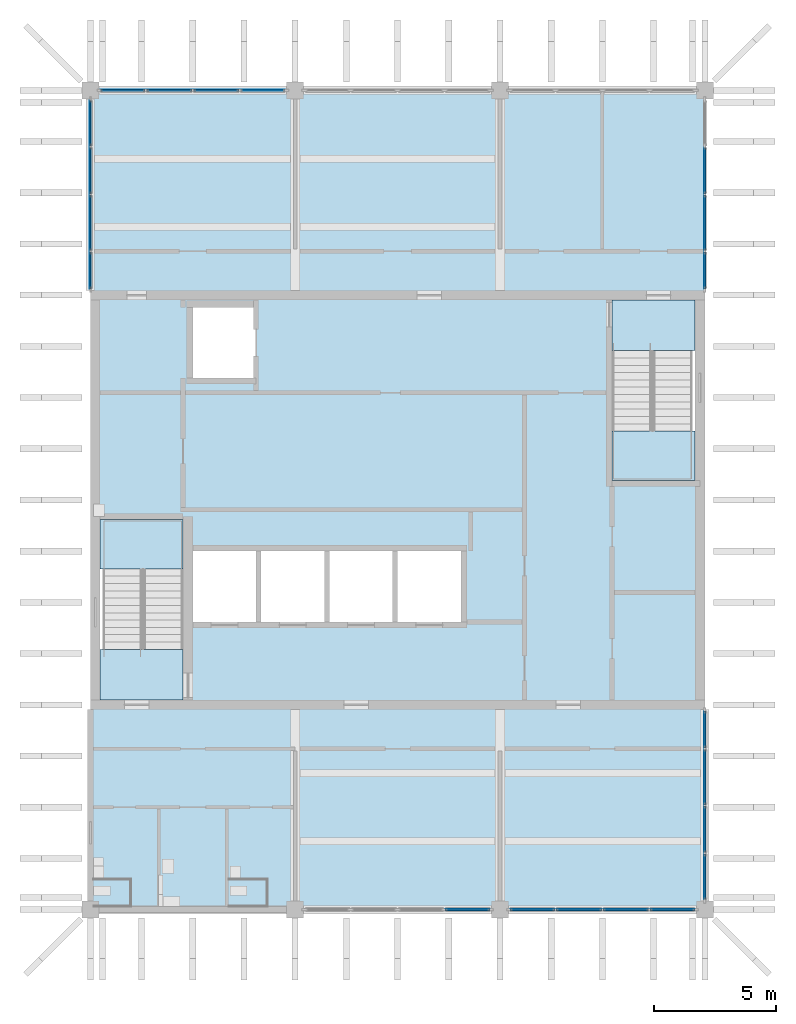
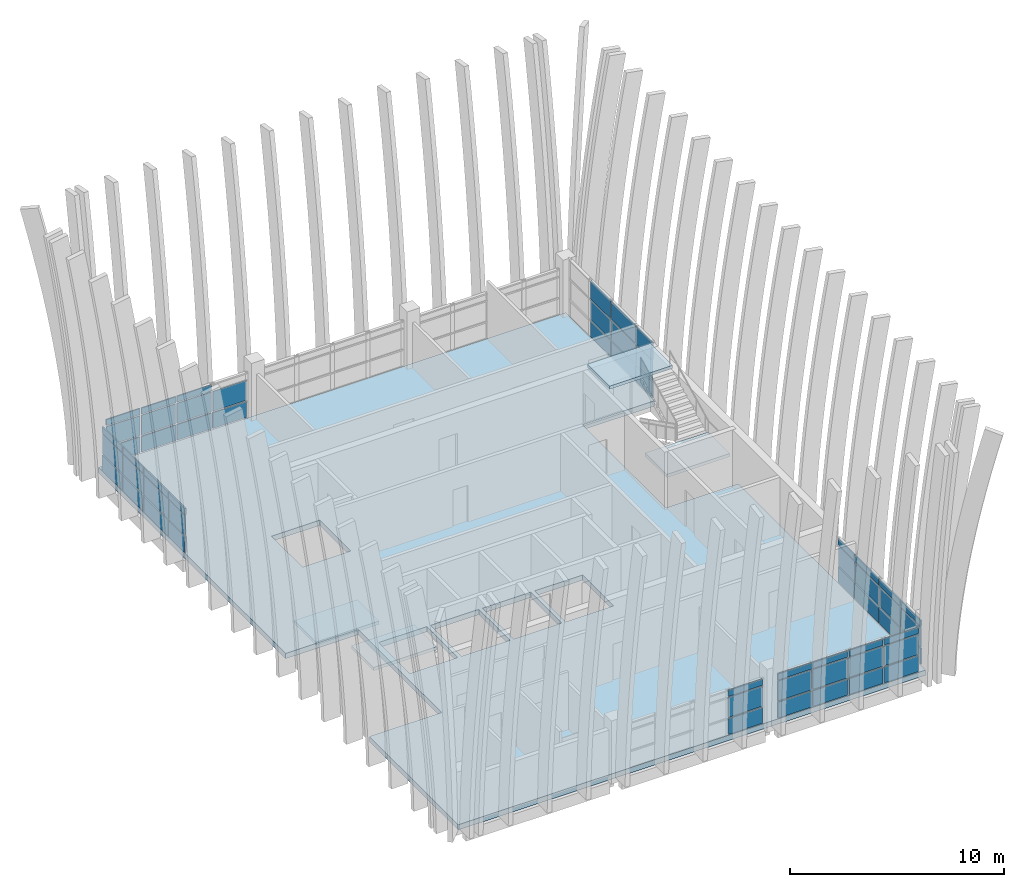
# One storey, part 4 of 19: 59 plates, 5 slabs, 8 elements without a shape of their own.
"""IFC4 building model written with IfcOpenShell, lengths in metres."""

from ifc_helpers import new_model, si_unit, direction, frame, origin, origin_2d, place, context, subcontext, project, spatial, polyline, rectangle, outline, extrude, material, layer, layer_set, type_object, element, aggregate, save


model = new_model("IFC4")

# Units and contexts
model_context = context("Model", 3, precision=1e-05, world=origin(), true_north=direction((0.0, 1.0)))
body_context = subcontext(model_context, "Body", "Model", "MODEL_VIEW")
ifc_project = project(units=[si_unit("LENGTHUNIT", "METRE"), si_unit("AREAUNIT", "SQUARE_METRE"), si_unit("VOLUMEUNIT", "CUBIC_METRE"), si_unit("PLANEANGLEUNIT", "RADIAN"), si_unit("MASSUNIT", "GRAM", prefix="KILO")], contexts=[model_context])

# Site, building, storey
site_placement = place(None, origin())
site = spatial("IfcSite", under=ifc_project, at=site_placement, CompositionType="ELEMENT")
building_placement = place(site_placement, origin())
building = spatial("IfcBuilding", under=site, at=building_placement, Name="Rulbaag Community and Learning Centre", CompositionType="ELEMENT")
storey_placement = place(building_placement, frame((0.0, 0.0, 57.60009765625)))
storey = spatial("IfcBuildingStorey", under=building, at=storey_placement, Name="L15", CompositionType="ELEMENT", Elevation=57.60009765625)

# Curtain wall, plates
ifc_material_1 = material(Name="Aluminium", Category="aluminium")
ifc_layer_1 = layer(ifc_material_1, 0.14990234375)
ifc_layer_set_1 = layer_set([ifc_layer_1], Name="CW-C")
curtain_wall_type = type_object("IfcCurtainWallType", Name="CW-C", PredefinedType="USERDEFINED", material=ifc_layer_set_1)
curtain_wall_1_placement = place(storey_placement, origin())
curtain_wall_1 = element("IfcCurtainWall", 1, at=curtain_wall_1_placement, inside=storey, type_object=curtain_wall_type, Name="GC-L15-01", ObjectType="UNITISED CURTAIN WALL", PredefinedType="USERDEFINED")
ifc_layer_2 = layer(ifc_material_1, 0.070068359375)
ifc_layer_set_2 = layer_set([ifc_layer_2], Name="CW-C-SPN")
plate_type_1 = type_object("IfcPlateType", Name="CW-C-SPN", PredefinedType="CURTAIN_PANEL", material=ifc_layer_set_2)
plate_1_placement = place(storey_placement, frame((158.27001953125, 84.0, 0.06982421875), z_axis=(0.0, 0.0, 1.0), x_axis=(1.0, 0.0, 0.0)))
plate_1 = element("IfcPlate", 2, at=plate_1_placement, type_object=plate_type_1, Name="GC spandrel panel", PredefinedType="CURTAIN_PANEL", context=body_context, shape_type="SweptSolid", body=[
    extrude(rectangle(XDim=1.820068359375, YDim=0.070068359375, at=origin_2d()), origin(), (0.0, 0.0, 1.0), 0.89501953125),
])
plate_2_placement = place(storey_placement, frame((158.27001953125, 84.0, 2.23486328125), z_axis=(0.0, 0.0, 1.0), x_axis=(1.0, 0.0, 0.0)))
plate_2 = element("IfcPlate", 3, at=plate_2_placement, type_object=plate_type_1, Name="GC spandrel panel", PredefinedType="CURTAIN_PANEL", context=body_context, shape_type="SweptSolid", body=[
    extrude(rectangle(XDim=1.820068359375, YDim=0.070068359375, at=origin_2d()), origin(), (0.0, 0.0, 1.0), 0.344970703125),
])

curtain_wall_2_placement = place(storey_placement, origin())
curtain_wall_2 = element("IfcCurtainWall", 4, at=curtain_wall_2_placement, inside=storey, type_object=curtain_wall_type, Name="GC-L15-02", ObjectType="UNITISED CURTAIN WALL", PredefinedType="USERDEFINED")
plate_3_placement = place(storey_placement, frame((160.929931640625, 84.0, 0.06982421875), z_axis=(0.0, 0.0, 1.0), x_axis=(1.0, 0.0, 0.0)))
plate_3 = element("IfcPlate", 5, at=plate_3_placement, type_object=plate_type_1, Name="GC spandrel panel", PredefinedType="CURTAIN_PANEL", context=body_context, shape_type="SweptSolid", body=[
    extrude(rectangle(XDim=1.820068359375, YDim=0.070068359375, at=origin_2d()), origin(), (0.0, 0.0, 1.0), 0.89501953125),
])
plate_4_placement = place(storey_placement, frame((160.929931640625, 84.0, 2.23486328125), z_axis=(0.0, 0.0, 1.0), x_axis=(1.0, 0.0, 0.0)))
plate_4 = element("IfcPlate", 6, at=plate_4_placement, type_object=plate_type_1, Name="GC spandrel panel", PredefinedType="CURTAIN_PANEL", context=body_context, shape_type="SweptSolid", body=[
    extrude(rectangle(XDim=1.820068359375, YDim=0.070068359375, at=origin_2d()), origin(), (0.0, 0.0, 1.0), 0.344970703125),
])
plate_5_placement = place(storey_placement, frame((162.83740234375, 84.0, 0.06982421875), z_axis=(0.0, 0.0, 1.0), x_axis=(1.0, 0.0, 0.0)))
plate_5 = element("IfcPlate", 7, at=plate_5_placement, type_object=plate_type_1, Name="GC spandrel panel", PredefinedType="CURTAIN_PANEL", context=body_context, shape_type="SweptSolid", body=[
    extrude(rectangle(XDim=1.85498046875, YDim=0.070068359375, at=origin_2d()), origin(), (0.0, 0.0, 1.0), 0.89501953125),
])
plate_6_placement = place(storey_placement, frame((162.83740234375, 84.0, 2.23486328125), z_axis=(0.0, 0.0, 1.0), x_axis=(1.0, 0.0, 0.0)))
plate_6 = element("IfcPlate", 8, at=plate_6_placement, type_object=plate_type_1, Name="GC spandrel panel", PredefinedType="CURTAIN_PANEL", context=body_context, shape_type="SweptSolid", body=[
    extrude(rectangle(XDim=1.85498046875, YDim=0.070068359375, at=origin_2d()), origin(), (0.0, 0.0, 1.0), 0.344970703125),
])
plate_7_placement = place(storey_placement, frame((164.762451171875, 84.0, 0.06982421875), z_axis=(0.0, 0.0, 1.0), x_axis=(1.0, 0.0, 0.0)))
plate_7 = element("IfcPlate", 9, at=plate_7_placement, type_object=plate_type_1, Name="GC spandrel panel", PredefinedType="CURTAIN_PANEL", context=body_context, shape_type="SweptSolid", body=[
    extrude(rectangle(XDim=1.85498046875, YDim=0.070068359375, at=origin_2d()), origin(), (0.0, 0.0, 1.0), 0.89501953125),
])
plate_8_placement = place(storey_placement, frame((164.762451171875, 84.0, 2.23486328125), z_axis=(0.0, 0.0, 1.0), x_axis=(1.0, 0.0, 0.0)))
plate_8 = element("IfcPlate", 10, at=plate_8_placement, type_object=plate_type_1, Name="GC spandrel panel", PredefinedType="CURTAIN_PANEL", context=body_context, shape_type="SweptSolid", body=[
    extrude(rectangle(XDim=1.85498046875, YDim=0.070068359375, at=origin_2d()), origin(), (0.0, 0.0, 1.0), 0.344970703125),
])
plate_9_placement = place(storey_placement, frame((166.669921875, 84.0, 0.06982421875), z_axis=(0.0, 0.0, 1.0), x_axis=(1.0, 0.0, 0.0)))
plate_9 = element("IfcPlate", 11, at=plate_9_placement, type_object=plate_type_1, Name="GC spandrel panel", PredefinedType="CURTAIN_PANEL", context=body_context, shape_type="SweptSolid", body=[
    extrude(rectangle(XDim=1.820068359375, YDim=0.070068359375, at=origin_2d()), origin(), (0.0, 0.0, 1.0), 0.89501953125),
])
plate_10_placement = place(storey_placement, frame((166.669921875, 84.0, 2.23486328125), z_axis=(0.0, 0.0, 1.0), x_axis=(1.0, 0.0, 0.0)))
plate_10 = element("IfcPlate", 12, at=plate_10_placement, type_object=plate_type_1, Name="GC spandrel panel", PredefinedType="CURTAIN_PANEL", context=body_context, shape_type="SweptSolid", body=[
    extrude(rectangle(XDim=1.820068359375, YDim=0.070068359375, at=origin_2d()), origin(), (0.0, 0.0, 1.0), 0.344970703125),
])

curtain_wall_3_placement = place(storey_placement, origin())
curtain_wall_3 = element("IfcCurtainWall", 13, at=curtain_wall_3_placement, inside=storey, type_object=curtain_wall_type, Name="GC-L15-03", ObjectType="UNITISED CURTAIN WALL", PredefinedType="USERDEFINED")
plate_11_placement = place(storey_placement, frame((144.1298828125, 117.60009765625, 0.06982421875), z_axis=(0.0, 0.0, 1.0), x_axis=(1.0, 0.0, 0.0)))
plate_11 = element("IfcPlate", 14, at=plate_11_placement, type_object=plate_type_1, Name="GC spandrel panel", PredefinedType="CURTAIN_PANEL", context=body_context, shape_type="SweptSolid", body=[
    extrude(rectangle(XDim=1.820068359375, YDim=0.070068359375, at=origin_2d()), origin(), (0.0, 0.0, 1.0), 0.89501953125),
])
plate_12_placement = place(storey_placement, frame((144.1298828125, 117.60009765625, 2.23486328125), z_axis=(0.0, 0.0, 1.0), x_axis=(1.0, 0.0, 0.0)))
plate_12 = element("IfcPlate", 15, at=plate_12_placement, type_object=plate_type_1, Name="GC spandrel panel", PredefinedType="CURTAIN_PANEL", context=body_context, shape_type="SweptSolid", body=[
    extrude(rectangle(XDim=1.820068359375, YDim=0.070068359375, at=origin_2d()), origin(), (0.0, 0.0, 1.0), 0.344970703125),
])
plate_13_placement = place(storey_placement, frame((146.03759765625, 117.60009765625, 0.06982421875), z_axis=(0.0, 0.0, 1.0), x_axis=(1.0, 0.0, 0.0)))
plate_13 = element("IfcPlate", 16, at=plate_13_placement, type_object=plate_type_1, Name="GC spandrel panel", PredefinedType="CURTAIN_PANEL", context=body_context, shape_type="SweptSolid", body=[
    extrude(rectangle(XDim=1.85498046875, YDim=0.070068359375, at=origin_2d()), origin(), (0.0, 0.0, 1.0), 0.89501953125),
])
plate_14_placement = place(storey_placement, frame((146.03759765625, 117.60009765625, 2.23486328125), z_axis=(0.0, 0.0, 1.0), x_axis=(1.0, 0.0, 0.0)))
plate_14 = element("IfcPlate", 17, at=plate_14_placement, type_object=plate_type_1, Name="GC spandrel panel", PredefinedType="CURTAIN_PANEL", context=body_context, shape_type="SweptSolid", body=[
    extrude(rectangle(XDim=1.85498046875, YDim=0.070068359375, at=origin_2d()), origin(), (0.0, 0.0, 1.0), 0.344970703125),
])
plate_15_placement = place(storey_placement, frame((147.96240234375, 117.60009765625, 0.06982421875), z_axis=(0.0, 0.0, 1.0), x_axis=(1.0, 0.0, 0.0)))
plate_15 = element("IfcPlate", 18, at=plate_15_placement, type_object=plate_type_1, Name="GC spandrel panel", PredefinedType="CURTAIN_PANEL", context=body_context, shape_type="SweptSolid", body=[
    extrude(rectangle(XDim=1.85498046875, YDim=0.070068359375, at=origin_2d()), origin(), (0.0, 0.0, 1.0), 0.89501953125),
])
plate_16_placement = place(storey_placement, frame((147.96240234375, 117.60009765625, 2.23486328125), z_axis=(0.0, 0.0, 1.0), x_axis=(1.0, 0.0, 0.0)))
plate_16 = element("IfcPlate", 19, at=plate_16_placement, type_object=plate_type_1, Name="GC spandrel panel", PredefinedType="CURTAIN_PANEL", context=body_context, shape_type="SweptSolid", body=[
    extrude(rectangle(XDim=1.85498046875, YDim=0.070068359375, at=origin_2d()), origin(), (0.0, 0.0, 1.0), 0.344970703125),
])
plate_17_placement = place(storey_placement, frame((149.8701171875, 117.60009765625, 0.06982421875), z_axis=(0.0, 0.0, 1.0), x_axis=(1.0, 0.0, 0.0)))
plate_17 = element("IfcPlate", 20, at=plate_17_placement, type_object=plate_type_1, Name="GC spandrel panel", PredefinedType="CURTAIN_PANEL", context=body_context, shape_type="SweptSolid", body=[
    extrude(rectangle(XDim=1.820068359375, YDim=0.070068359375, at=origin_2d()), origin(), (0.0, 0.0, 1.0), 0.89501953125),
])

curtain_wall_4_placement = place(storey_placement, origin())
curtain_wall_4 = element("IfcCurtainWall", 21, at=curtain_wall_4_placement, inside=storey, type_object=curtain_wall_type, Name="GC-L15-06", ObjectType="UNITISED CURTAIN WALL", PredefinedType="USERDEFINED")
plate_18_placement = place(storey_placement, frame((142.800048828125, 110.217529296875, 0.06982421875), z_axis=(0.0, 0.0, 1.0), x_axis=(0.0, 1.0, 0.0)))
plate_18 = element("IfcPlate", 22, at=plate_18_placement, type_object=plate_type_1, Name="GC spandrel panel", PredefinedType="CURTAIN_PANEL", context=body_context, shape_type="SweptSolid", body=[
    extrude(rectangle(XDim=1.4951171875, YDim=0.070068359375, at=origin_2d()), origin(), (0.0, 0.0, 1.0), 0.89501953125),
])
plate_19_placement = place(storey_placement, frame((142.800048828125, 110.217529296875, 2.23486328125), z_axis=(0.0, 0.0, 1.0), x_axis=(0.0, 1.0, 0.0)))
plate_19 = element("IfcPlate", 23, at=plate_19_placement, type_object=plate_type_1, Name="GC spandrel panel", PredefinedType="CURTAIN_PANEL", context=body_context, shape_type="SweptSolid", body=[
    extrude(rectangle(XDim=1.4951171875, YDim=0.070068359375, at=origin_2d()), origin(), (0.0, 0.0, 1.0), 0.344970703125),
])
plate_20_placement = place(storey_placement, frame((142.800048828125, 112.16259765625, 0.06982421875), z_axis=(0.0, 0.0, 1.0), x_axis=(0.0, 1.0, 0.0)))
plate_20 = element("IfcPlate", 24, at=plate_20_placement, type_object=plate_type_1, Name="GC spandrel panel", PredefinedType="CURTAIN_PANEL", context=body_context, shape_type="SweptSolid", body=[
    extrude(rectangle(XDim=2.2548828125, YDim=0.070068359375, at=origin_2d()), origin(), (0.0, 0.0, 1.0), 0.89501953125),
])
plate_21_placement = place(storey_placement, frame((142.800048828125, 112.16259765625, 2.23486328125), z_axis=(0.0, 0.0, 1.0), x_axis=(0.0, 1.0, 0.0)))
plate_21 = element("IfcPlate", 25, at=plate_21_placement, type_object=plate_type_1, Name="GC spandrel panel", PredefinedType="CURTAIN_PANEL", context=body_context, shape_type="SweptSolid", body=[
    extrude(rectangle(XDim=2.2548828125, YDim=0.070068359375, at=origin_2d()), origin(), (0.0, 0.0, 1.0), 0.344970703125),
])
plate_22_placement = place(storey_placement, frame((142.800048828125, 114.30615234375, 0.06982421875), z_axis=(0.0, 0.0, 1.0), x_axis=(0.0, 1.0, 0.0)))
plate_22 = element("IfcPlate", 26, at=plate_22_placement, type_object=plate_type_1, Name="GC spandrel panel", PredefinedType="CURTAIN_PANEL", context=body_context, shape_type="SweptSolid", body=[
    extrude(rectangle(XDim=1.892578125, YDim=0.070068359375, at=origin_2d()), origin(), (0.0, 0.0, 1.0), 0.89501953125),
])
plate_23_placement = place(storey_placement, frame((142.800048828125, 114.30615234375, 2.23486328125), z_axis=(0.0, 0.0, 1.0), x_axis=(0.0, 1.0, 0.0)))
plate_23 = element("IfcPlate", 27, at=plate_23_placement, type_object=plate_type_1, Name="GC spandrel panel", PredefinedType="CURTAIN_PANEL", context=body_context, shape_type="SweptSolid", body=[
    extrude(rectangle(XDim=1.892578125, YDim=0.070068359375, at=origin_2d()), origin(), (0.0, 0.0, 1.0), 0.344970703125),
])
plate_24_placement = place(storey_placement, frame((142.800048828125, 116.251220703125, 0.06982421875), z_axis=(0.0, 0.0, 1.0), x_axis=(0.0, 1.0, 0.0)))
plate_24 = element("IfcPlate", 28, at=plate_24_placement, type_object=plate_type_1, Name="GC spandrel panel", PredefinedType="CURTAIN_PANEL", context=body_context, shape_type="SweptSolid", body=[
    extrude(rectangle(XDim=1.857421875, YDim=0.070068359375, at=origin_2d()), origin(), (0.0, 0.0, 1.0), 0.89501953125),
])
plate_25_placement = place(storey_placement, frame((142.800048828125, 116.251220703125, 2.23486328125), z_axis=(0.0, 0.0, 1.0), x_axis=(0.0, 1.0, 0.0)))
plate_25 = element("IfcPlate", 29, at=plate_25_placement, type_object=plate_type_1, Name="GC spandrel panel", PredefinedType="CURTAIN_PANEL", context=body_context, shape_type="SweptSolid", body=[
    extrude(rectangle(XDim=1.857421875, YDim=0.070068359375, at=origin_2d()), origin(), (0.0, 0.0, 1.0), 0.344970703125),
])

curtain_wall_5_placement = place(storey_placement, origin())
curtain_wall_5 = element("IfcCurtainWall", 30, at=curtain_wall_5_placement, inside=storey, type_object=curtain_wall_type, Name="GC-L15-07", ObjectType="UNITISED CURTAIN WALL", PredefinedType="USERDEFINED")
plate_26_placement = place(storey_placement, frame((168.0, 85.3486328125, 0.06982421875), z_axis=(0.0, 0.0, 1.0), x_axis=(0.0, 1.0, 0.0)))
plate_26 = element("IfcPlate", 31, at=plate_26_placement, type_object=plate_type_1, Name="GC spandrel panel", PredefinedType="CURTAIN_PANEL", context=body_context, shape_type="SweptSolid", body=[
    extrude(rectangle(XDim=1.857421875, YDim=0.070068359375, at=origin_2d()), origin(), (0.0, 0.0, 1.0), 0.89501953125),
])
plate_27_placement = place(storey_placement, frame((168.0, 85.3486328125, 2.23486328125), z_axis=(0.0, 0.0, 1.0), x_axis=(0.0, 1.0, 0.0)))
plate_27 = element("IfcPlate", 32, at=plate_27_placement, type_object=plate_type_1, Name="GC spandrel panel", PredefinedType="CURTAIN_PANEL", context=body_context, shape_type="SweptSolid", body=[
    extrude(rectangle(XDim=1.857421875, YDim=0.070068359375, at=origin_2d()), origin(), (0.0, 0.0, 1.0), 0.344970703125),
])
plate_28_placement = place(storey_placement, frame((168.0, 87.293701171875, 0.06982421875), z_axis=(0.0, 0.0, 1.0), x_axis=(0.0, 1.0, 0.0)))
plate_28 = element("IfcPlate", 33, at=plate_28_placement, type_object=plate_type_1, Name="GC spandrel panel", PredefinedType="CURTAIN_PANEL", context=body_context, shape_type="SweptSolid", body=[
    extrude(rectangle(XDim=1.892578125, YDim=0.070068359375, at=origin_2d()), origin(), (0.0, 0.0, 1.0), 0.89501953125),
])
plate_29_placement = place(storey_placement, frame((168.0, 87.293701171875, 2.23486328125), z_axis=(0.0, 0.0, 1.0), x_axis=(0.0, 1.0, 0.0)))
plate_29 = element("IfcPlate", 34, at=plate_29_placement, type_object=plate_type_1, Name="GC spandrel panel", PredefinedType="CURTAIN_PANEL", context=body_context, shape_type="SweptSolid", body=[
    extrude(rectangle(XDim=1.892578125, YDim=0.070068359375, at=origin_2d()), origin(), (0.0, 0.0, 1.0), 0.344970703125),
])
plate_30_placement = place(storey_placement, frame((168.0, 89.4375, 0.06982421875), z_axis=(0.0, 0.0, 1.0), x_axis=(0.0, 1.0, 0.0)))
plate_30 = element("IfcPlate", 35, at=plate_30_placement, type_object=plate_type_1, Name="GC spandrel panel", PredefinedType="CURTAIN_PANEL", context=body_context, shape_type="SweptSolid", body=[
    extrude(rectangle(XDim=2.2548828125, YDim=0.070068359375, at=origin_2d()), origin(), (0.0, 0.0, 1.0), 0.89501953125),
])
plate_31_placement = place(storey_placement, frame((168.0, 89.4375, 2.23486328125), z_axis=(0.0, 0.0, 1.0), x_axis=(0.0, 1.0, 0.0)))
plate_31 = element("IfcPlate", 36, at=plate_31_placement, type_object=plate_type_1, Name="GC spandrel panel", PredefinedType="CURTAIN_PANEL", context=body_context, shape_type="SweptSolid", body=[
    extrude(rectangle(XDim=2.2548828125, YDim=0.070068359375, at=origin_2d()), origin(), (0.0, 0.0, 1.0), 0.344970703125),
])
plate_32_placement = place(storey_placement, frame((168.0, 91.382568359375, 0.06982421875), z_axis=(0.0, 0.0, 1.0), x_axis=(0.0, 1.0, 0.0)))
plate_32 = element("IfcPlate", 37, at=plate_32_placement, type_object=plate_type_1, Name="GC spandrel panel", PredefinedType="CURTAIN_PANEL", context=body_context, shape_type="SweptSolid", body=[
    extrude(rectangle(XDim=1.4951171875, YDim=0.070068359375, at=origin_2d()), origin(), (0.0, 0.0, 1.0), 0.89501953125),
])
plate_33_placement = place(storey_placement, frame((168.0, 91.382568359375, 2.23486328125), z_axis=(0.0, 0.0, 1.0), x_axis=(0.0, 1.0, 0.0)))
plate_33 = element("IfcPlate", 38, at=plate_33_placement, type_object=plate_type_1, Name="GC spandrel panel", PredefinedType="CURTAIN_PANEL", context=body_context, shape_type="SweptSolid", body=[
    extrude(rectangle(XDim=1.4951171875, YDim=0.070068359375, at=origin_2d()), origin(), (0.0, 0.0, 1.0), 0.344970703125),
])

curtain_wall_6_placement = place(storey_placement, origin())
curtain_wall_6 = element("IfcCurtainWall", 39, at=curtain_wall_6_placement, inside=storey, type_object=curtain_wall_type, Name="GC-L15-08", ObjectType="UNITISED CURTAIN WALL", PredefinedType="USERDEFINED")
plate_34_placement = place(storey_placement, frame((168.0, 110.217529296875, 0.06982421875), z_axis=(0.0, 0.0, 1.0), x_axis=(0.0, 1.0, 0.0)))
plate_34 = element("IfcPlate", 40, at=plate_34_placement, type_object=plate_type_1, Name="GC spandrel panel", PredefinedType="CURTAIN_PANEL", context=body_context, shape_type="SweptSolid", body=[
    extrude(rectangle(XDim=1.4951171875, YDim=0.070068359375, at=origin_2d()), origin(), (0.0, 0.0, 1.0), 0.89501953125),
])
plate_35_placement = place(storey_placement, frame((168.0, 110.217529296875, 2.23486328125), z_axis=(0.0, 0.0, 1.0), x_axis=(0.0, 1.0, 0.0)))
plate_35 = element("IfcPlate", 41, at=plate_35_placement, type_object=plate_type_1, Name="GC spandrel panel", PredefinedType="CURTAIN_PANEL", context=body_context, shape_type="SweptSolid", body=[
    extrude(rectangle(XDim=1.4951171875, YDim=0.070068359375, at=origin_2d()), origin(), (0.0, 0.0, 1.0), 0.9951171875),
])
plate_36_placement = place(storey_placement, frame((168.0, 112.16259765625, 0.06982421875), z_axis=(0.0, 0.0, 1.0), x_axis=(0.0, 1.0, 0.0)))
plate_36 = element("IfcPlate", 42, at=plate_36_placement, type_object=plate_type_1, Name="GC spandrel panel", PredefinedType="CURTAIN_PANEL", context=body_context, shape_type="SweptSolid", body=[
    extrude(rectangle(XDim=2.2548828125, YDim=0.070068359375, at=origin_2d()), origin(), (0.0, 0.0, 1.0), 0.89501953125),
])
plate_37_placement = place(storey_placement, frame((168.0, 112.16259765625, 2.23486328125), z_axis=(0.0, 0.0, 1.0), x_axis=(0.0, 1.0, 0.0)))
plate_37 = element("IfcPlate", 43, at=plate_37_placement, type_object=plate_type_1, Name="GC spandrel panel", PredefinedType="CURTAIN_PANEL", context=body_context, shape_type="SweptSolid", body=[
    extrude(rectangle(XDim=2.2548828125, YDim=0.070068359375, at=origin_2d()), origin(), (0.0, 0.0, 1.0), 0.9951171875),
])
plate_38_placement = place(storey_placement, frame((168.0, 114.30615234375, 0.06982421875), z_axis=(0.0, 0.0, 1.0), x_axis=(0.0, 1.0, 0.0)))
plate_38 = element("IfcPlate", 44, at=plate_38_placement, type_object=plate_type_1, Name="GC spandrel panel", PredefinedType="CURTAIN_PANEL", context=body_context, shape_type="SweptSolid", body=[
    extrude(rectangle(XDim=1.892578125, YDim=0.070068359375, at=origin_2d()), origin(), (0.0, 0.0, 1.0), 0.89501953125),
])
plate_39_placement = place(storey_placement, frame((168.0, 114.30615234375, 2.23486328125), z_axis=(0.0, 0.0, 1.0), x_axis=(0.0, 1.0, 0.0)))
plate_39 = element("IfcPlate", 45, at=plate_39_placement, type_object=plate_type_1, Name="GC spandrel panel", PredefinedType="CURTAIN_PANEL", context=body_context, shape_type="SweptSolid", body=[
    extrude(rectangle(XDim=1.892578125, YDim=0.070068359375, at=origin_2d()), origin(), (0.0, 0.0, 1.0), 0.9951171875),
])

# Plate
ifc_material_2 = material(Name="Glass", Category="glass")
ifc_layer_3 = layer(ifc_material_2, 0.035888671875)
ifc_layer_set_3 = layer_set([ifc_layer_3], Name="CW-C-VIS")
plate_type_2 = type_object("IfcPlateType", Name="CW-C-VIS", PredefinedType="CURTAIN_PANEL", material=ifc_layer_set_3)
plate_40_placement = place(storey_placement, frame((158.27001953125, 84.0, 1.034912109375), z_axis=(0.0, 0.0, 1.0), x_axis=(1.0, 0.0, 0.0)))
plate_40 = element("IfcPlate", 46, at=plate_40_placement, type_object=plate_type_2, Name="GC vision panel", PredefinedType="CURTAIN_PANEL", context=body_context, shape_type="SweptSolid", body=[
    extrude(rectangle(XDim=1.820068359375, YDim=0.035888671875, at=origin_2d()), origin(), (0.0, 0.0, 1.0), 1.1298828125),
])

aggregate(curtain_wall_1, [plate_1, plate_40, plate_2])

plate_41_placement = place(storey_placement, frame((160.929931640625, 84.0, 1.034912109375), z_axis=(0.0, 0.0, 1.0), x_axis=(1.0, 0.0, 0.0)))
plate_41 = element("IfcPlate", 47, at=plate_41_placement, type_object=plate_type_2, Name="GC vision panel", PredefinedType="CURTAIN_PANEL", context=body_context, shape_type="SweptSolid", body=[
    extrude(rectangle(XDim=1.820068359375, YDim=0.035888671875, at=origin_2d()), origin(), (0.0, 0.0, 1.0), 1.1298828125),
])

plate_42_placement = place(storey_placement, frame((162.83740234375, 84.0, 1.034912109375), z_axis=(0.0, 0.0, 1.0), x_axis=(1.0, 0.0, 0.0)))
plate_42 = element("IfcPlate", 48, at=plate_42_placement, type_object=plate_type_2, Name="GC vision panel", PredefinedType="CURTAIN_PANEL", context=body_context, shape_type="SweptSolid", body=[
    extrude(rectangle(XDim=1.85498046875, YDim=0.035888671875, at=origin_2d()), origin(), (0.0, 0.0, 1.0), 1.1298828125),
])

plate_43_placement = place(storey_placement, frame((164.762451171875, 84.0, 1.034912109375), z_axis=(0.0, 0.0, 1.0), x_axis=(1.0, 0.0, 0.0)))
plate_43 = element("IfcPlate", 49, at=plate_43_placement, type_object=plate_type_2, Name="GC vision panel", PredefinedType="CURTAIN_PANEL", context=body_context, shape_type="SweptSolid", body=[
    extrude(rectangle(XDim=1.85498046875, YDim=0.035888671875, at=origin_2d()), origin(), (0.0, 0.0, 1.0), 1.1298828125),
])

plate_44_placement = place(storey_placement, frame((166.669921875, 84.0, 1.034912109375), z_axis=(0.0, 0.0, 1.0), x_axis=(1.0, 0.0, 0.0)))
plate_44 = element("IfcPlate", 50, at=plate_44_placement, type_object=plate_type_2, Name="GC vision panel", PredefinedType="CURTAIN_PANEL", context=body_context, shape_type="SweptSolid", body=[
    extrude(rectangle(XDim=1.820068359375, YDim=0.035888671875, at=origin_2d()), origin(), (0.0, 0.0, 1.0), 1.1298828125),
])

aggregate(curtain_wall_2, [plate_3, plate_41, plate_4, plate_5, plate_42, plate_6, plate_7, plate_43, plate_8, plate_9, plate_44, plate_10])

plate_45_placement = place(storey_placement, frame((144.1298828125, 117.60009765625, 1.034912109375), z_axis=(0.0, 0.0, 1.0), x_axis=(1.0, 0.0, 0.0)))
plate_45 = element("IfcPlate", 51, at=plate_45_placement, type_object=plate_type_2, Name="GC vision panel", PredefinedType="CURTAIN_PANEL", context=body_context, shape_type="SweptSolid", body=[
    extrude(rectangle(XDim=1.820068359375, YDim=0.035888671875, at=origin_2d()), origin(), (0.0, 0.0, 1.0), 1.1298828125),
])

plate_46_placement = place(storey_placement, frame((146.03759765625, 117.60009765625, 1.034912109375), z_axis=(0.0, 0.0, 1.0), x_axis=(1.0, 0.0, 0.0)))
plate_46 = element("IfcPlate", 52, at=plate_46_placement, type_object=plate_type_2, Name="GC vision panel", PredefinedType="CURTAIN_PANEL", context=body_context, shape_type="SweptSolid", body=[
    extrude(rectangle(XDim=1.85498046875, YDim=0.035888671875, at=origin_2d()), origin(), (0.0, 0.0, 1.0), 1.1298828125),
])

plate_47_placement = place(storey_placement, frame((147.96240234375, 117.60009765625, 1.034912109375), z_axis=(0.0, 0.0, 1.0), x_axis=(1.0, 0.0, 0.0)))
plate_47 = element("IfcPlate", 53, at=plate_47_placement, type_object=plate_type_2, Name="GC vision panel", PredefinedType="CURTAIN_PANEL", context=body_context, shape_type="SweptSolid", body=[
    extrude(rectangle(XDim=1.85498046875, YDim=0.035888671875, at=origin_2d()), origin(), (0.0, 0.0, 1.0), 1.1298828125),
])

plate_48_placement = place(storey_placement, frame((149.8701171875, 117.60009765625, 1.034912109375), z_axis=(0.0, 0.0, 1.0), x_axis=(1.0, 0.0, 0.0)))
plate_48 = element("IfcPlate", 54, at=plate_48_placement, type_object=plate_type_2, Name="GC vision panel", PredefinedType="CURTAIN_PANEL", context=body_context, shape_type="SweptSolid", body=[
    extrude(rectangle(XDim=1.820068359375, YDim=0.035888671875, at=origin_2d()), origin(), (0.0, 0.0, 1.0), 1.1298828125),
])

aggregate(curtain_wall_3, [plate_11, plate_45, plate_12, plate_13, plate_46, plate_14, plate_15, plate_47, plate_16, plate_17, plate_48])

plate_49_placement = place(storey_placement, frame((142.800048828125, 110.217529296875, 1.034912109375), z_axis=(0.0, 0.0, 1.0), x_axis=(0.0, 1.0, 0.0)))
plate_49 = element("IfcPlate", 55, at=plate_49_placement, type_object=plate_type_2, Name="GC vision panel", PredefinedType="CURTAIN_PANEL", context=body_context, shape_type="SweptSolid", body=[
    extrude(rectangle(XDim=1.4951171875, YDim=0.035888671875, at=origin_2d()), origin(), (0.0, 0.0, 1.0), 1.1298828125),
])

plate_50_placement = place(storey_placement, frame((142.800048828125, 112.16259765625, 1.034912109375), z_axis=(0.0, 0.0, 1.0), x_axis=(0.0, 1.0, 0.0)))
plate_50 = element("IfcPlate", 56, at=plate_50_placement, type_object=plate_type_2, Name="GC vision panel", PredefinedType="CURTAIN_PANEL", context=body_context, shape_type="SweptSolid", body=[
    extrude(rectangle(XDim=2.2548828125, YDim=0.035888671875, at=origin_2d()), origin(), (0.0, 0.0, 1.0), 1.1298828125),
])

plate_51_placement = place(storey_placement, frame((142.800048828125, 114.30615234375, 1.034912109375), z_axis=(0.0, 0.0, 1.0), x_axis=(0.0, 1.0, 0.0)))
plate_51 = element("IfcPlate", 57, at=plate_51_placement, type_object=plate_type_2, Name="GC vision panel", PredefinedType="CURTAIN_PANEL", context=body_context, shape_type="SweptSolid", body=[
    extrude(rectangle(XDim=1.892578125, YDim=0.035888671875, at=origin_2d()), origin(), (0.0, 0.0, 1.0), 1.1298828125),
])

plate_52_placement = place(storey_placement, frame((142.800048828125, 116.251220703125, 1.034912109375), z_axis=(0.0, 0.0, 1.0), x_axis=(0.0, 1.0, 0.0)))
plate_52 = element("IfcPlate", 58, at=plate_52_placement, type_object=plate_type_2, Name="GC vision panel", PredefinedType="CURTAIN_PANEL", context=body_context, shape_type="SweptSolid", body=[
    extrude(rectangle(XDim=1.857421875, YDim=0.035888671875, at=origin_2d()), origin(), (0.0, 0.0, 1.0), 1.1298828125),
])

aggregate(curtain_wall_4, [plate_18, plate_49, plate_19, plate_20, plate_50, plate_21, plate_22, plate_51, plate_23, plate_24, plate_52, plate_25])

plate_53_placement = place(storey_placement, frame((168.0, 85.3486328125, 1.034912109375), z_axis=(0.0, 0.0, 1.0), x_axis=(0.0, 1.0, 0.0)))
plate_53 = element("IfcPlate", 59, at=plate_53_placement, type_object=plate_type_2, Name="GC vision panel", PredefinedType="CURTAIN_PANEL", context=body_context, shape_type="SweptSolid", body=[
    extrude(rectangle(XDim=1.857421875, YDim=0.035888671875, at=origin_2d()), origin(), (0.0, 0.0, 1.0), 1.1298828125),
])

plate_54_placement = place(storey_placement, frame((168.0, 87.293701171875, 1.034912109375), z_axis=(0.0, 0.0, 1.0), x_axis=(0.0, 1.0, 0.0)))
plate_54 = element("IfcPlate", 60, at=plate_54_placement, type_object=plate_type_2, Name="GC vision panel", PredefinedType="CURTAIN_PANEL", context=body_context, shape_type="SweptSolid", body=[
    extrude(rectangle(XDim=1.892578125, YDim=0.035888671875, at=origin_2d()), origin(), (0.0, 0.0, 1.0), 1.1298828125),
])

plate_55_placement = place(storey_placement, frame((168.0, 89.4375, 1.034912109375), z_axis=(0.0, 0.0, 1.0), x_axis=(0.0, 1.0, 0.0)))
plate_55 = element("IfcPlate", 61, at=plate_55_placement, type_object=plate_type_2, Name="GC vision panel", PredefinedType="CURTAIN_PANEL", context=body_context, shape_type="SweptSolid", body=[
    extrude(rectangle(XDim=2.2548828125, YDim=0.035888671875, at=origin_2d()), origin(), (0.0, 0.0, 1.0), 1.1298828125),
])

plate_56_placement = place(storey_placement, frame((168.0, 91.382568359375, 1.034912109375), z_axis=(0.0, 0.0, 1.0), x_axis=(0.0, 1.0, 0.0)))
plate_56 = element("IfcPlate", 62, at=plate_56_placement, type_object=plate_type_2, Name="GC vision panel", PredefinedType="CURTAIN_PANEL", context=body_context, shape_type="SweptSolid", body=[
    extrude(rectangle(XDim=1.4951171875, YDim=0.035888671875, at=origin_2d()), origin(), (0.0, 0.0, 1.0), 1.1298828125),
])

aggregate(curtain_wall_5, [plate_26, plate_53, plate_27, plate_28, plate_54, plate_29, plate_30, plate_55, plate_31, plate_32, plate_56, plate_33])

plate_57_placement = place(storey_placement, frame((168.0, 110.217529296875, 1.034912109375), z_axis=(0.0, 0.0, 1.0), x_axis=(0.0, 1.0, 0.0)))
plate_57 = element("IfcPlate", 63, at=plate_57_placement, type_object=plate_type_2, Name="GC vision panel", PredefinedType="CURTAIN_PANEL", context=body_context, shape_type="SweptSolid", body=[
    extrude(rectangle(XDim=1.4951171875, YDim=0.035888671875, at=origin_2d()), origin(), (0.0, 0.0, 1.0), 1.1298828125),
])

plate_58_placement = place(storey_placement, frame((168.0, 112.16259765625, 1.034912109375), z_axis=(0.0, 0.0, 1.0), x_axis=(0.0, 1.0, 0.0)))
plate_58 = element("IfcPlate", 64, at=plate_58_placement, type_object=plate_type_2, Name="GC vision panel", PredefinedType="CURTAIN_PANEL", context=body_context, shape_type="SweptSolid", body=[
    extrude(rectangle(XDim=2.2548828125, YDim=0.035888671875, at=origin_2d()), origin(), (0.0, 0.0, 1.0), 1.1298828125),
])

plate_59_placement = place(storey_placement, frame((168.0, 114.30615234375, 1.034912109375), z_axis=(0.0, 0.0, 1.0), x_axis=(0.0, 1.0, 0.0)))
plate_59 = element("IfcPlate", 65, at=plate_59_placement, type_object=plate_type_2, Name="GC vision panel", PredefinedType="CURTAIN_PANEL", context=body_context, shape_type="SweptSolid", body=[
    extrude(rectangle(XDim=1.892578125, YDim=0.035888671875, at=origin_2d()), origin(), (0.0, 0.0, 1.0), 1.1298828125),
])

aggregate(curtain_wall_6, [plate_34, plate_57, plate_35, plate_36, plate_58, plate_37, plate_38, plate_59, plate_39])

# Stair, slabs
ifc_material_3 = material(Name="Concrete M40", Category="concrete")
stair_type = type_object("IfcStairType", Name="ST-1650 STAIR 1650 WIDE", PredefinedType="HALF_TURN_STAIR", material=ifc_material_3)
stair_1_placement = place(storey_placement, origin())
stair_1 = element("IfcStair", 66, at=stair_1_placement, inside=storey, type_object=stair_type, Name="Stair ST1 L15", PredefinedType="HALF_TURN_STAIR")
ifc_layer_4 = layer(ifc_material_3, 0.179931640625)
ifc_layer_set_4 = layer_set([ifc_layer_4], Name="LN-180 LANDING 180 Concrete M40")
slab_type_1 = type_object("IfcSlabType", Name="LN-180 LANDING 180 Concrete M40", PredefinedType="LANDING", material=ifc_layer_set_4)
slab_1_placement = place(storey_placement, frame((0.0, 0.0, 1.619873046875)))
slab_1 = element("IfcSlab", 67, at=slab_1_placement, type_object=slab_type_1, Name="ST1 landing 1", PredefinedType="LANDING", context=body_context, shape_type="SweptSolid", body=[
    extrude(outline(polyline([(143.199951171875, 97.97509765625), (143.199951171875, 100.0), (146.60009765625, 100.0), (146.60009765625, 97.97509765625), (143.199951171875, 97.97509765625)])), origin(), (0.0, 0.0, 1.0), 0.179931640625),
])
slab_2_placement = place(storey_placement, frame((0.0, 0.0, 3.419921875)))
slab_2 = element("IfcSlab", 68, at=slab_2_placement, type_object=slab_type_1, Name="ST1 landing 2", PredefinedType="LANDING", context=body_context, shape_type="SweptSolid", body=[
    extrude(outline(polyline([(143.199951171875, 92.60009765625), (143.199951171875, 94.675048828125), (146.60009765625, 94.675048828125), (146.60009765625, 92.60009765625), (143.199951171875, 92.60009765625)])), origin(), (0.0, 0.0, 1.0), 0.179931640625),
])
aggregate(stair_1, [slab_1, slab_2])

stair_2_placement = place(storey_placement, origin())
stair_2 = element("IfcStair", 69, at=stair_2_placement, inside=storey, type_object=stair_type, Name="Stair ST2 L15", PredefinedType="HALF_TURN_STAIR")
slab_3_placement = place(storey_placement, frame((0.0, 0.0, 1.619873046875)))
slab_3 = element("IfcSlab", 70, at=slab_3_placement, type_object=slab_type_1, Name="ST2 landing 1", PredefinedType="LANDING", context=body_context, shape_type="SweptSolid", body=[
    extrude(outline(polyline([(164.199951171875, 101.60009765625), (164.199951171875, 103.625), (167.60009765625, 103.625), (167.60009765625, 101.60009765625), (164.199951171875, 101.60009765625)])), origin(), (0.0, 0.0, 1.0), 0.179931640625),
])
slab_4_placement = place(storey_placement, frame((0.0, 0.0, 3.419921875)))
slab_4 = element("IfcSlab", 71, at=slab_4_placement, type_object=slab_type_1, Name="ST2 landing 2", PredefinedType="LANDING", context=body_context, shape_type="SweptSolid", body=[
    extrude(outline(polyline([(164.199951171875, 106.925048828125), (164.199951171875, 109.0), (167.60009765625, 109.0), (167.60009765625, 106.925048828125), (164.199951171875, 106.925048828125)])), origin(), (0.0, 0.0, 1.0), 0.179931640625),
])
aggregate(stair_2, [slab_3, slab_4])

# Slab
ifc_layer_5 = layer(ifc_material_3, 0.300048828125)
ifc_layer_set_5 = layer_set([ifc_layer_5], Name="S5 Floor slab 300 Concrete M40")
slab_type_2 = type_object("IfcSlabType", Name="S5 Floor slab 300 Concrete M40", PredefinedType="FLOOR", material=ifc_layer_set_5)
slab_5_placement = place(storey_placement, frame((0.0, 0.0, -0.300048828125)))
element("IfcSlab", 72, at=slab_5_placement, inside=storey, type_object=slab_type_2, Name="SL-L15-B01", PredefinedType="FLOOR", context=body_context, shape_type="SweptSolid", body=[
    extrude(outline(polyline([(168.0, 84.0), (142.800048828125, 84.0), (142.800048828125, 92.300048828125), (146.699951171875, 92.300048828125), (146.699951171875, 100.10009765625), (142.800048828125, 100.10009765625), (142.800048828125, 117.60009765625), (168.0, 117.60009765625), (168.0, 109.300048828125), (164.10009765625, 109.300048828125), (164.10009765625, 101.5), (168.0, 101.5), (168.0, 84.0)]), holes=[polyline([(147.0, 98.699951171875), (147.0, 95.800048828125), (149.60009765625, 95.800048828125), (149.60009765625, 98.699951171875), (147.0, 98.699951171875)]), polyline([(149.800048828125, 98.699951171875), (149.800048828125, 95.800048828125), (152.39990234375, 95.800048828125), (152.39990234375, 98.699951171875), (149.800048828125, 98.699951171875)]), polyline([(152.60009765625, 98.699951171875), (152.60009765625, 95.800048828125), (155.199951171875, 95.800048828125), (155.199951171875, 98.699951171875), (152.60009765625, 98.699951171875)]), polyline([(155.39990234375, 98.699951171875), (155.39990234375, 95.800048828125), (158.0, 95.800048828125), (158.0, 98.699951171875), (155.39990234375, 98.699951171875)]), polyline([(147.0, 108.699951171875), (147.0, 105.800048828125), (149.60009765625, 105.800048828125), (149.60009765625, 108.699951171875), (147.0, 108.699951171875)])]), origin(), (0.0, 0.0, 1.0), 0.300048828125),
])

save(model, "model.ifc")
